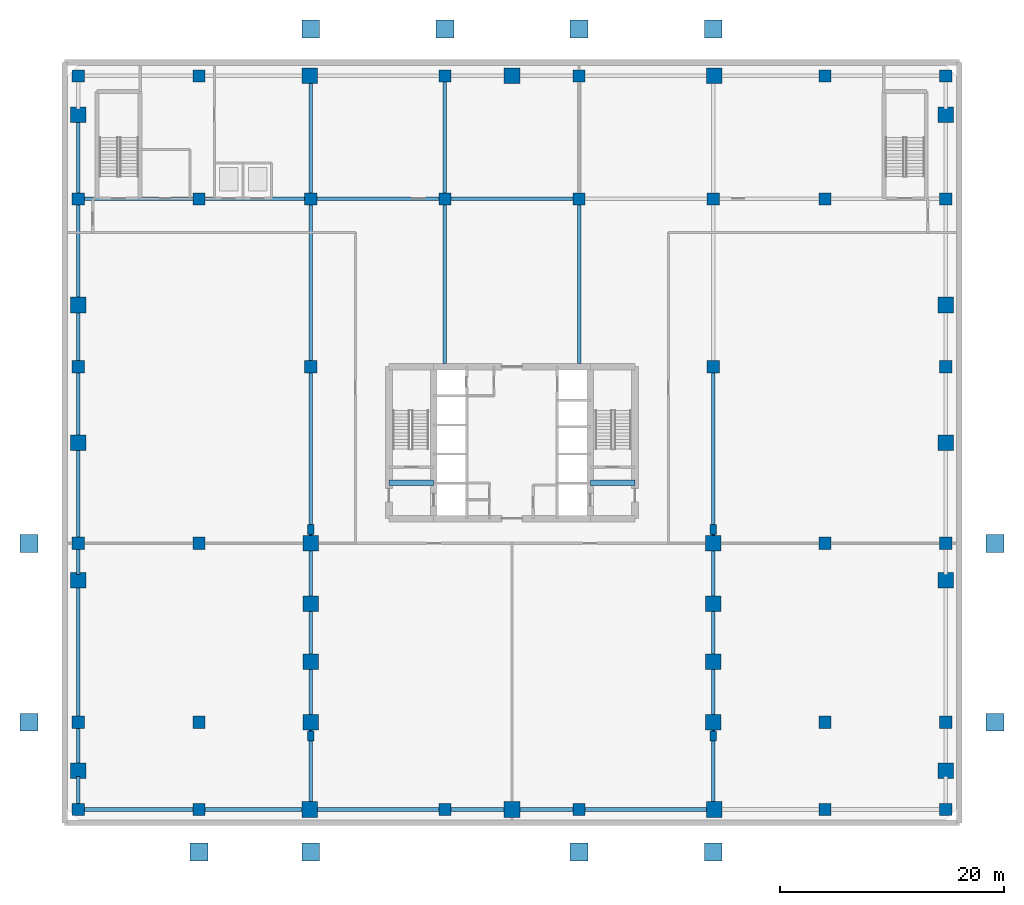
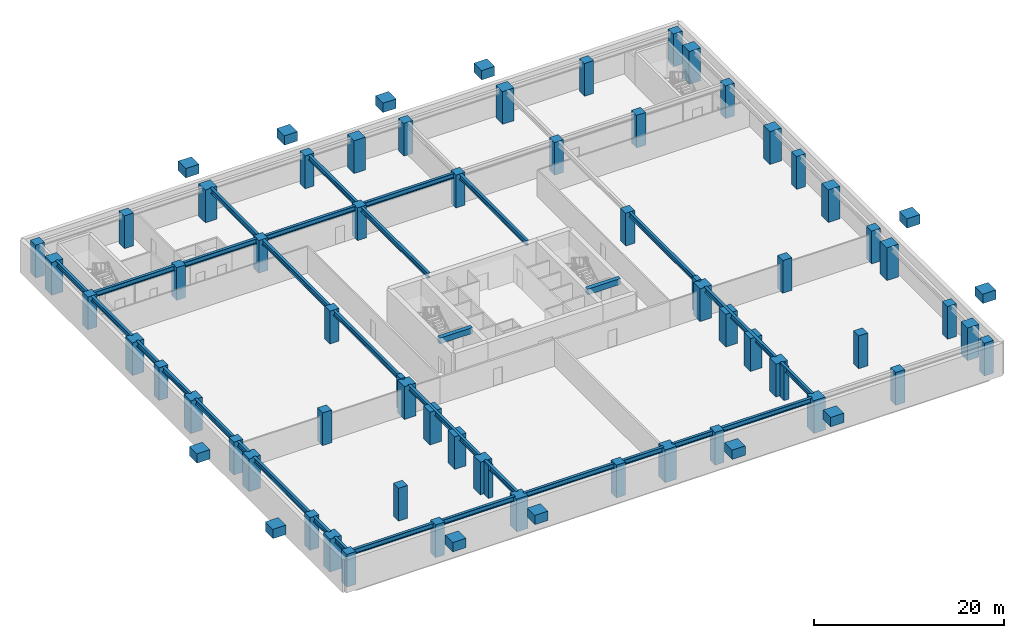
# One storey, part 1 of 11: 60 columns, 32 beams, 12 footings.
"""IFC4 building model written with IfcOpenShell, lengths in metres."""

from ifc_helpers import new_model, si_unit, direction, frame, origin, origin_2d, place, context, subcontext, project, spatial, polyline, rectangle, i_section, outline, extrude, material, layer, layer_set, material_profile, profile_set, type_object, element, save


model = new_model("IFC4")

# Units and contexts
model_context = context("Model", 3, precision=1e-05, world=origin(), true_north=direction((0.0, 1.0)))
body_context = subcontext(model_context, "Body", "Model", "MODEL_VIEW")
ifc_project = project(units=[si_unit("LENGTHUNIT", "METRE"), si_unit("AREAUNIT", "SQUARE_METRE"), si_unit("VOLUMEUNIT", "CUBIC_METRE"), si_unit("PLANEANGLEUNIT", "RADIAN"), si_unit("MASSUNIT", "GRAM", prefix="KILO")], contexts=[model_context])

# Site, building, storey
site_placement = place(None, origin())
site = spatial("IfcSite", under=ifc_project, at=site_placement, CompositionType="ELEMENT")
building_placement = place(site_placement, origin())
building = spatial("IfcBuilding", under=site, at=building_placement, Name="Sarneth Arch Tower", CompositionType="ELEMENT")
storey_placement = place(building_placement, frame((0.0, 0.0, -4.5)))
storey = spatial("IfcBuildingStorey", under=building, at=storey_placement, Name="B01", CompositionType="ELEMENT", Elevation=-4.5)

# Footings
ifc_material_1 = material(Name="Concrete C60/75", Category="concrete")
ifc_layer = layer(ifc_material_1, 0.60009765625)
ifc_layer_set = layer_set([ifc_layer], Name="Concrete C60/75")
footing_type = type_object("IfcFootingType", Name="FTG-RAMP-PAD", PredefinedType="PAD_FOOTING", material=ifc_layer_set)
footing_1_placement = place(storey_placement, frame((0.0, 0.0, 3.300048828125)))
element("IfcFooting", 1, at=footing_1_placement, inside=storey, type_object=footing_type, Name="Canopy post pad footing NORTH.1", PredefinedType="PAD_FOOTING", context=body_context, shape_type="SweptSolid", body=[
    extrude(outline(polyline([(29.199951171875, 78.199951171875), (30.800048828125, 78.199951171875), (30.800048828125, 79.800048828125), (29.199951171875, 79.800048828125), (29.199951171875, 78.199951171875)])), origin(), (0.0, 0.0, 1.0), 1.199951171875),
])
footing_2_placement = place(storey_placement, frame((0.0, 0.0, 3.300048828125)))
element("IfcFooting", 2, at=footing_2_placement, inside=storey, type_object=footing_type, Name="Canopy post pad footing NORTH.2", PredefinedType="PAD_FOOTING", context=body_context, shape_type="SweptSolid", body=[
    extrude(outline(polyline([(41.199951171875, 78.199951171875), (42.800048828125, 78.199951171875), (42.800048828125, 79.800048828125), (41.199951171875, 79.800048828125), (41.199951171875, 78.199951171875)])), origin(), (0.0, 0.0, 1.0), 1.199951171875),
])
footing_3_placement = place(storey_placement, frame((0.0, 0.0, 3.300048828125)))
element("IfcFooting", 3, at=footing_3_placement, inside=storey, type_object=footing_type, Name="Canopy post pad footing NORTH.3", PredefinedType="PAD_FOOTING", context=body_context, shape_type="SweptSolid", body=[
    extrude(outline(polyline([(53.199951171875, 78.199951171875), (54.800048828125, 78.199951171875), (54.800048828125, 79.800048828125), (53.199951171875, 79.800048828125), (53.199951171875, 78.199951171875)])), origin(), (0.0, 0.0, 1.0), 1.199951171875),
])
footing_4_placement = place(storey_placement, frame((0.0, 0.0, 3.300048828125)))
element("IfcFooting", 4, at=footing_4_placement, inside=storey, type_object=footing_type, Name="Canopy post pad footing NORTH.4", PredefinedType="PAD_FOOTING", context=body_context, shape_type="SweptSolid", body=[
    extrude(outline(polyline([(65.199951171875, 78.199951171875), (66.800048828125, 78.199951171875), (66.800048828125, 79.800048828125), (65.199951171875, 79.800048828125), (65.199951171875, 78.199951171875)])), origin(), (0.0, 0.0, 1.0), 1.199951171875),
])
footing_5_placement = place(storey_placement, frame((0.0, 0.0, 3.300048828125)))
element("IfcFooting", 5, at=footing_5_placement, inside=storey, type_object=footing_type, Name="Canopy post pad footing ARCH-W.1", PredefinedType="PAD_FOOTING", context=body_context, shape_type="SweptSolid", body=[
    extrude(outline(polyline([(4.0, 16.199951171875), (5.60009765625, 16.199951171875), (5.60009765625, 17.800048828125), (4.0, 17.800048828125), (4.0, 16.199951171875)])), origin(), (0.0, 0.0, 1.0), 1.199951171875),
])
footing_6_placement = place(storey_placement, frame((0.0, 0.0, 3.300048828125)))
element("IfcFooting", 6, at=footing_6_placement, inside=storey, type_object=footing_type, Name="Canopy post pad footing ARCH-W.2", PredefinedType="PAD_FOOTING", context=body_context, shape_type="SweptSolid", body=[
    extrude(outline(polyline([(4.0, 32.199951171875), (5.60009765625, 32.199951171875), (5.60009765625, 33.800048828125), (4.0, 33.800048828125), (4.0, 32.199951171875)])), origin(), (0.0, 0.0, 1.0), 1.199951171875),
])
footing_7_placement = place(storey_placement, frame((0.0, 0.0, 3.300048828125)))
element("IfcFooting", 7, at=footing_7_placement, inside=storey, type_object=footing_type, Name="Canopy post pad footing ARCH-E.1", PredefinedType="PAD_FOOTING", context=body_context, shape_type="SweptSolid", body=[
    extrude(outline(polyline([(90.39990234375, 16.199951171875), (92.0, 16.199951171875), (92.0, 17.800048828125), (90.39990234375, 17.800048828125), (90.39990234375, 16.199951171875)])), origin(), (0.0, 0.0, 1.0), 1.199951171875),
])
footing_8_placement = place(storey_placement, frame((0.0, 0.0, 3.300048828125)))
element("IfcFooting", 8, at=footing_8_placement, inside=storey, type_object=footing_type, Name="Canopy post pad footing ARCH-E.2", PredefinedType="PAD_FOOTING", context=body_context, shape_type="SweptSolid", body=[
    extrude(outline(polyline([(90.39990234375, 32.199951171875), (92.0, 32.199951171875), (92.0, 33.800048828125), (90.39990234375, 33.800048828125), (90.39990234375, 32.199951171875)])), origin(), (0.0, 0.0, 1.0), 1.199951171875),
])
footing_9_placement = place(storey_placement, frame((0.0, 0.0, 3.300048828125)))
element("IfcFooting", 9, at=footing_9_placement, inside=storey, type_object=footing_type, Name="Canopy post pad footing SOUTH-W.1", PredefinedType="PAD_FOOTING", context=body_context, shape_type="SweptSolid", body=[
    extrude(outline(polyline([(19.199951171875, 4.60009765625), (20.800048828125, 4.60009765625), (20.800048828125, 6.199951171875), (19.199951171875, 6.199951171875), (19.199951171875, 4.60009765625)])), origin(), (0.0, 0.0, 1.0), 1.199951171875),
])
footing_10_placement = place(storey_placement, frame((0.0, 0.0, 3.300048828125)))
element("IfcFooting", 10, at=footing_10_placement, inside=storey, type_object=footing_type, Name="Canopy post pad footing SOUTH-W.2", PredefinedType="PAD_FOOTING", context=body_context, shape_type="SweptSolid", body=[
    extrude(outline(polyline([(29.199951171875, 4.60009765625), (30.800048828125, 4.60009765625), (30.800048828125, 6.199951171875), (29.199951171875, 6.199951171875), (29.199951171875, 4.60009765625)])), origin(), (0.0, 0.0, 1.0), 1.199951171875),
])
footing_11_placement = place(storey_placement, frame((0.0, 0.0, 3.300048828125)))
element("IfcFooting", 11, at=footing_11_placement, inside=storey, type_object=footing_type, Name="Canopy post pad footing SOUTH-E.1", PredefinedType="PAD_FOOTING", context=body_context, shape_type="SweptSolid", body=[
    extrude(outline(polyline([(53.199951171875, 4.60009765625), (54.800048828125, 4.60009765625), (54.800048828125, 6.199951171875), (53.199951171875, 6.199951171875), (53.199951171875, 4.60009765625)])), origin(), (0.0, 0.0, 1.0), 1.199951171875),
])
footing_12_placement = place(storey_placement, frame((0.0, 0.0, 3.300048828125)))
element("IfcFooting", 12, at=footing_12_placement, inside=storey, type_object=footing_type, Name="Canopy post pad footing SOUTH-E.2", PredefinedType="PAD_FOOTING", context=body_context, shape_type="SweptSolid", body=[
    extrude(outline(polyline([(65.199951171875, 4.60009765625), (66.800048828125, 4.60009765625), (66.800048828125, 6.199951171875), (65.199951171875, 6.199951171875), (65.199951171875, 4.60009765625)])), origin(), (0.0, 0.0, 1.0), 1.199951171875),
])

# Columns
ifc_material_2 = material(Name="Concrete C60/75", Category="concrete")
ifc_material_profile_1 = material_profile(ifc_material_2, rectangle(XDim=1.10009765625, YDim=1.10009765625, at=origin_2d()), Name="RC-1100x1100")
ifc_profile_set_1 = profile_set([ifc_material_profile_1], Name="Concrete C60/75")
column_type_1 = type_object("IfcColumnType", Name="COL-RC-1100", PredefinedType="COLUMN", material=ifc_profile_set_1)
for number, where, z_axis, x_axis, name in (
    (13, (9.199951171875, 74.800048828125, 0.0), (0.0, 0.0, 1.0), (1.0, 0.0, 0.0), "B01 Podium column PN01"),
    (14, (9.199951171875, 9.199951171875, 0.0), (0.0, 0.0, 1.0), (1.0, 0.0, 0.0), "B01 Podium column PS01"),
    (15, (9.199951171875, 63.800048828125, 0.0), (0.0, 0.0, 1.0), (1.0, 0.0, 0.0), "B01 Podium column PC01"),
    (16, (20.0, 74.800048828125, 0.0), (0.0, 0.0, 1.0), (1.0, 0.0, 0.0), "B01 Podium column PN02"),
    (17, (20.0, 9.199951171875, 0.0), (0.0, 0.0, 1.0), (1.0, 0.0, 0.0), "B01 Podium column PS02"),
    (18, (20.0, 63.800048828125, 0.0), (0.0, 0.0, 1.0), (1.0, 0.0, 0.0), "B01 Podium column PC02"),
    (19, (30.0, 63.800048828125, 0.0), (0.0, 0.0, 1.0), (1.0, 0.0, 0.0), "B01 Podium column PC03"),
    (20, (42.0, 74.800048828125, 0.0), (0.0, 0.0, 1.0), (1.0, 0.0, 0.0), "B01 Podium column PN04"),
    (21, (42.0, 9.199951171875, 0.0), (0.0, 0.0, 1.0), (1.0, 0.0, 0.0), "B01 Podium column PS04"),
    (22, (42.0, 63.800048828125, 0.0), (0.0, 0.0, 1.0), (1.0, 0.0, 0.0), "B01 Podium column PC04"),
    (23, (54.0, 74.800048828125, 0.0), (0.0, 0.0, 1.0), (1.0, 0.0, 0.0), "B01 Podium column PN05"),
    (24, (54.0, 9.199951171875, 0.0), (0.0, 0.0, 1.0), (1.0, 0.0, 0.0), "B01 Podium column PS05"),
    (25, (54.0, 63.800048828125, 0.0), (0.0, 0.0, 1.0), (1.0, 0.0, 0.0), "B01 Podium column PC05"),
    (26, (66.0, 63.800048828125, 0.0), (0.0, 0.0, 1.0), (1.0, 0.0, 0.0), "B01 Podium column PC06"),
    (27, (76.0, 74.800048828125, 0.0), (0.0, 0.0, 1.0), (1.0, 0.0, 0.0), "B01 Podium column PN07"),
    (28, (76.0, 9.199951171875, 0.0), (0.0, 0.0, 1.0), (1.0, 0.0, 0.0), "B01 Podium column PS07"),
    (29, (76.0, 63.800048828125, 0.0), (0.0, 0.0, 1.0), (1.0, 0.0, 0.0), "B01 Podium column PC07"),
    (30, (86.800048828125, 74.800048828125, 0.0), (0.0, 0.0, 1.0), (1.0, 0.0, 0.0), "B01 Podium column PN08"),
    (31, (86.800048828125, 9.199951171875, 0.0), (0.0, 0.0, 1.0), (1.0, 0.0, 0.0), "B01 Podium column PS08"),
    (32, (86.800048828125, 63.800048828125, 0.0), (0.0, 0.0, 1.0), (1.0, 0.0, 0.0), "B01 Podium column PC08"),
    (33, (9.199951171875, 17.0, 0.0), (0.0, 0.0, 1.0), (1.0, 0.0, 0.0), "B01 Podium column PW01"),
    (34, (86.800048828125, 17.0, 0.0), (0.0, 0.0, 1.0), (1.0, 0.0, 0.0), "B01 Podium column PE01"),
    (35, (9.199951171875, 33.0, 0.0), (0.0, 0.0, 1.0), (1.0, 0.0, 0.0), "B01 Podium column PW02"),
    (36, (86.800048828125, 33.0, 0.0), (0.0, 0.0, 1.0), (1.0, 0.0, 0.0), "B01 Podium column PE02"),
    (37, (9.199951171875, 48.800048828125, 0.0), (0.0, 0.0, 1.0), (1.0, 0.0, 0.0), "B01 Podium column PW03"),
    (38, (86.800048828125, 48.800048828125, 0.0), (0.0, 0.0, 1.0), (1.0, 0.0, 0.0), "B01 Podium column PE03"),
    (39, (20.0, 17.0, 0.0), (0.0, 0.0, 1.0), (1.0, 0.0, 0.0), "B01 Podium column AS-W1"),
    (40, (76.0, 17.0, 0.0), (0.0, 0.0, 1.0), (1.0, 0.0, 0.0), "B01 Podium column AS-E1"),
    (41, (20.0, 33.0, 0.0), (0.0, 0.0, 1.0), (1.0, 0.0, 0.0), "B01 Podium column AN-W1"),
    (42, (76.0, 33.0, 0.0), (0.0, 0.0, 1.0), (1.0, 0.0, 0.0), "B01 Podium column AN-E1"),
    (43, (30.0, 48.800048828125, 0.0), (0.0, 0.0, 1.0), (1.0, 0.0, 0.0), "B01 Podium column WC-W1"),
    (44, (66.0, 48.800048828125, 0.0), (0.0, 0.0, 1.0), (1.0, 0.0, 0.0), "B01 Podium column WC-E1"),
):
    element("IfcColumn", number, at=place(storey_placement, frame(where, z_axis=z_axis, x_axis=x_axis)), inside=storey, type_object=column_type_1, Name=name, PredefinedType="COLUMN", context=body_context, shape_type="SweptSolid", body=[
        extrude(rectangle(XDim=1.10009765625, YDim=1.10009765625, at=origin_2d()), origin(), (0.0, 0.0, 1.0), 4.219970703125),
    ])
ifc_material_3 = material(Name="Concrete C60/75", Category="concrete")
ifc_material_profile_2 = material_profile(ifc_material_3, rectangle(XDim=1.39990234375, YDim=1.39990234375, at=origin_2d()), Name="RC-1400x1400")
ifc_profile_set_2 = profile_set([ifc_material_profile_2], Name="Concrete C60/75")
column_type_2 = type_object("IfcColumnType", Name="COL-RC-1400", PredefinedType="COLUMN", material=ifc_profile_set_2)
for number, where, z_axis, x_axis, name in (
    (45, (30.0, 17.0, 0.0), (0.0, 0.0, 1.0), (1.0, 0.0, 0.0), "B01 Podium column AP-SW"),
    (46, (66.0, 17.0, 0.0), (0.0, 0.0, 1.0), (1.0, 0.0, 0.0), "B01 Podium column AP-SE"),
    (47, (30.0, 33.0, 0.0), (0.0, 0.0, 1.0), (1.0, 0.0, 0.0), "B01 Podium column AP-NW"),
    (48, (66.0, 33.0, 0.0), (0.0, 0.0, 1.0), (1.0, 0.0, 0.0), "B01 Podium column AP-NE"),
    (49, (86.800048828125, 42.0, 0.0), (0.0, 0.0, 1.0), (1.0, 0.0, 0.0), "B01 Podium column PX01"),
    (50, (86.800048828125, 54.31787109375, 0.0), (0.0, 0.0, 1.0), (1.0, 0.0, 0.0), "B01 Podium column PX02"),
    (51, (86.800048828125, 71.336669921875, 0.0), (0.0, 0.0, 1.0), (1.0, 0.0, 0.0), "B01 Podium column PX03"),
    (52, (66.08447265625, 74.800048828125, 0.0), (0.0, 0.0, 1.0), (1.0, 0.0, 0.0), "B01 Podium column PX04"),
    (53, (48.0, 74.800048828125, 0.0), (0.0, 0.0, 1.0), (1.0, 0.0, 0.0), "B01 Podium column PX05"),
    (54, (29.91552734375, 74.800048828125, 0.0), (0.0, 0.0, 1.0), (1.0, 0.0, 0.0), "B01 Podium column PX06"),
    (55, (9.199951171875, 71.336669921875, 0.0), (0.0, 0.0, 1.0), (1.0, 0.0, 0.0), "B01 Podium column PX07"),
    (56, (9.199951171875, 54.31787109375, 0.0), (0.0, 0.0, 1.0), (1.0, 0.0, 0.0), "B01 Podium column PX08"),
    (57, (9.199951171875, 42.0, 0.0), (0.0, 0.0, 1.0), (1.0, 0.0, 0.0), "B01 Podium column PX09"),
    (58, (9.199951171875, 29.68212890625, 0.0), (0.0, 0.0, 1.0), (1.0, 0.0, 0.0), "B01 Podium column PX10"),
    (59, (9.199951171875, 12.663330078125, 0.0), (0.0, 0.0, 1.0), (1.0, 0.0, 0.0), "B01 Podium column PX11"),
    (60, (29.91552734375, 9.199951171875, 0.0), (0.0, 0.0, 1.0), (1.0, 0.0, 0.0), "B01 Podium column PX12"),
    (61, (48.0, 9.199951171875, 0.0), (0.0, 0.0, 1.0), (1.0, 0.0, 0.0), "B01 Podium column PX13"),
    (62, (66.08447265625, 9.199951171875, 0.0), (0.0, 0.0, 1.0), (1.0, 0.0, 0.0), "B01 Podium column PX14"),
    (63, (86.800048828125, 12.663330078125, 0.0), (0.0, 0.0, 1.0), (1.0, 0.0, 0.0), "B01 Podium column PX15"),
    (64, (86.800048828125, 29.68212890625, 0.0), (0.0, 0.0, 1.0), (1.0, 0.0, 0.0), "B01 Podium column PX16"),
    (65, (30.0, 22.39990234375, 0.0), (0.0, 0.0, 1.0), (1.0, 0.0, 0.0), "B01 Arch springing pier R2W"),
    (66, (66.0, 22.39990234375, 0.0), (0.0, 0.0, 1.0), (1.0, 0.0, 0.0), "B01 Arch springing pier R2E"),
    (67, (30.0, 27.60009765625, 0.0), (0.0, 0.0, 1.0), (1.0, 0.0, 0.0), "B01 Arch springing pier R3W"),
    (68, (66.0, 27.60009765625, 0.0), (0.0, 0.0, 1.0), (1.0, 0.0, 0.0), "B01 Arch springing pier R3E"),
):
    element("IfcColumn", number, at=place(storey_placement, frame(where, z_axis=z_axis, x_axis=x_axis)), inside=storey, type_object=column_type_2, Name=name, PredefinedType="COLUMN", context=body_context, shape_type="SweptSolid", body=[
        extrude(rectangle(XDim=1.39990234375, YDim=1.39990234375, at=origin_2d()), origin(), (0.0, 0.0, 1.0), 4.219970703125),
    ])
ifc_material_4 = material(Name="Concrete C60/75", Category="concrete")
ifc_material_profile_3 = material_profile(ifc_material_4, rectangle(XDim=0.60009765625, YDim=0.89990234375, at=origin_2d()), Name="RC-600x900")
ifc_profile_set_3 = profile_set([ifc_material_profile_3], Name="Concrete C60/75")
column_type_3 = type_object("IfcColumnType", Name="PIL-RC-600x900", PredefinedType="PILASTER", material=ifc_profile_set_3)
for number, where, z_axis, x_axis, name in (
    (69, (30.0, 15.75, 0.0), (0.0, 0.0, 1.0), (1.0, 0.0, 0.0), "B01 Arch pilaster PIL-SW"),
    (70, (30.0, 34.25, 0.0), (0.0, 0.0, 1.0), (1.0, 0.0, 0.0), "B01 Arch pilaster PIL-NW"),
    (71, (66.0, 15.75, 0.0), (0.0, 0.0, 1.0), (1.0, 0.0, 0.0), "B01 Arch pilaster PIL-SE"),
    (72, (66.0, 34.25, 0.0), (0.0, 0.0, 1.0), (1.0, 0.0, 0.0), "B01 Arch pilaster PIL-NE"),
):
    element("IfcColumn", number, at=place(storey_placement, frame(where, z_axis=z_axis, x_axis=x_axis)), inside=storey, type_object=column_type_3, Name=name, PredefinedType="PILASTER", context=body_context, shape_type="SweptSolid", body=[
        extrude(rectangle(XDim=0.60009765625, YDim=0.89990234375, at=origin_2d()), origin(), (0.0, 0.0, 1.0), 4.219970703125),
    ])

# Beams
ifc_material_5 = material(Name="Concrete C50/60", Category="concrete")
ifc_material_profile_4 = material_profile(ifc_material_5, rectangle(XDim=0.5, YDim=0.75, at=origin_2d()), Name="RC-500x750")
ifc_profile_set_4 = profile_set([ifc_material_profile_4], Name="Concrete C50/60")
beam_type_1 = type_object("IfcBeamType", Name="BM-LINTEL-RC", PredefinedType="LINTEL", material=ifc_profile_set_4)
for number, where, z_axis, x_axis, name in (
    (73, (37.0, 38.39990234375, 3.844970703125), (1.0, 0.0, 0.0), (0.0, 1.0, 0.0), "B01 Core coupling lintel W"),
    (74, (55.0, 38.39990234375, 3.844970703125), (1.0, 0.0, 0.0), (0.0, 1.0, 0.0), "B01 Core coupling lintel E"),
):
    element("IfcBeam", number, at=place(storey_placement, frame(where, z_axis=z_axis, x_axis=x_axis)), inside=storey, type_object=beam_type_1, Name=name, PredefinedType="LINTEL", context=body_context, shape_type="SweptSolid", body=[
        extrude(rectangle(XDim=0.5, YDim=0.75, at=origin_2d()), origin(), (0.0, 0.0, 1.0), 4.0),
    ])
ifc_material_6 = material(Name="Steel S355", Category="steel")
ifc_material_profile_5 = material_profile(ifc_material_6, i_section(OverallWidth=0.3291015625, OverallDepth=0.635009765625, WebThickness=0.017822265625, FlangeThickness=0.031005859375, FilletRadius=0.01904296875, at=origin_2d()), Name="W610x241")
ifc_profile_set_5 = profile_set([ifc_material_profile_5], Name="Steel S355")
beam_type_2 = type_object("IfcBeamType", Name="BM-POD-610", PredefinedType="BEAM", material=ifc_profile_set_5)
beam_1_placement = place(storey_placement, frame((9.719970703125, 9.199951171875, 3.902587890625), z_axis=(1.0, 0.0, 0.0), x_axis=(0.0, 1.0, 0.0)))
element("IfcBeam", 75, at=beam_1_placement, inside=storey, type_object=beam_type_2, Name="B01 Podium PS girder 1", PredefinedType="BEAM", context=body_context, shape_type="SweptSolid", body=[
    extrude(i_section(OverallWidth=0.3291015625, OverallDepth=0.635009765625, WebThickness=0.017822265625, FlangeThickness=0.031005859375, FilletRadius=0.01904296875, at=origin_2d()), origin(), (0.0, 0.0, 1.0), 9.760009765625),
])
beam_2_placement = place(storey_placement, frame((20.52001953125, 9.199951171875, 3.902587890625), z_axis=(1.0, 0.0, 0.0), x_axis=(0.0, 1.0, 0.0)))
element("IfcBeam", 76, at=beam_2_placement, inside=storey, type_object=beam_type_2, Name="B01 Podium PS girder 2", PredefinedType="BEAM", context=body_context, shape_type="SweptSolid", body=[
    extrude(i_section(OverallWidth=0.3291015625, OverallDepth=0.635009765625, WebThickness=0.017822265625, FlangeThickness=0.031005859375, FilletRadius=0.01904296875, at=origin_2d()), origin(), (0.0, 0.0, 1.0), 8.87548828125),
])
beam_3_placement = place(storey_placement, frame((30.435546875, 9.199951171875, 3.902587890625), z_axis=(1.0, 0.0, 0.0), x_axis=(0.0, 1.0, 0.0)))
element("IfcBeam", 77, at=beam_3_placement, inside=storey, type_object=beam_type_2, Name="B01 Podium PS girder 3", PredefinedType="BEAM", context=body_context, shape_type="SweptSolid", body=[
    extrude(i_section(OverallWidth=0.3291015625, OverallDepth=0.635009765625, WebThickness=0.017822265625, FlangeThickness=0.031005859375, FilletRadius=0.01904296875, at=origin_2d()), origin(), (0.0, 0.0, 1.0), 11.04443359375),
])
for number, where, z_axis, x_axis, name in (
    (78, (42.52001953125, 9.199951171875, 3.902587890625), (1.0, 0.0, 0.0), (0.0, 1.0, 0.0), "B01 Podium PS girder 4"),
    (79, (48.52001953125, 9.199951171875, 3.902587890625), (1.0, 0.0, 0.0), (0.0, 1.0, 0.0), "B01 Podium PS girder 5"),
):
    element("IfcBeam", number, at=place(storey_placement, frame(where, z_axis=z_axis, x_axis=x_axis)), inside=storey, type_object=beam_type_2, Name=name, PredefinedType="BEAM", context=body_context, shape_type="SweptSolid", body=[
        extrude(i_section(OverallWidth=0.3291015625, OverallDepth=0.635009765625, WebThickness=0.017822265625, FlangeThickness=0.031005859375, FilletRadius=0.01904296875, at=origin_2d()), origin(), (0.0, 0.0, 1.0), 4.9599609375),
    ])
beam_4_placement = place(storey_placement, frame((54.52001953125, 9.199951171875, 3.902587890625), z_axis=(1.0, 0.0, 0.0), x_axis=(0.0, 1.0, 0.0)))
element("IfcBeam", 80, at=beam_4_placement, inside=storey, type_object=beam_type_2, Name="B01 Podium PS girder 6", PredefinedType="BEAM", context=body_context, shape_type="SweptSolid", body=[
    extrude(i_section(OverallWidth=0.3291015625, OverallDepth=0.635009765625, WebThickness=0.017822265625, FlangeThickness=0.031005859375, FilletRadius=0.01904296875, at=origin_2d()), origin(), (0.0, 0.0, 1.0), 11.04443359375),
])
beam_5_placement = place(storey_placement, frame((9.719970703125, 63.800048828125, 3.902587890625), z_axis=(1.0, 0.0, 0.0), x_axis=(0.0, 1.0, 0.0)))
element("IfcBeam", 81, at=beam_5_placement, inside=storey, type_object=beam_type_2, Name="B01 Podium PC girder 1", PredefinedType="BEAM", context=body_context, shape_type="SweptSolid", body=[
    extrude(i_section(OverallWidth=0.3291015625, OverallDepth=0.635009765625, WebThickness=0.017822265625, FlangeThickness=0.031005859375, FilletRadius=0.01904296875, at=origin_2d()), origin(), (0.0, 0.0, 1.0), 9.760009765625),
])
beam_6_placement = place(storey_placement, frame((20.52001953125, 63.800048828125, 3.902587890625), z_axis=(1.0, 0.0, 0.0), x_axis=(0.0, 1.0, 0.0)))
element("IfcBeam", 82, at=beam_6_placement, inside=storey, type_object=beam_type_2, Name="B01 Podium PC girder 2", PredefinedType="BEAM", context=body_context, shape_type="SweptSolid", body=[
    extrude(i_section(OverallWidth=0.3291015625, OverallDepth=0.635009765625, WebThickness=0.017822265625, FlangeThickness=0.031005859375, FilletRadius=0.01904296875, at=origin_2d()), origin(), (0.0, 0.0, 1.0), 8.9599609375),
])
for number, where, z_axis, x_axis, name in (
    (83, (30.52001953125, 63.800048828125, 3.902587890625), (1.0, 0.0, 0.0), (0.0, 1.0, 0.0), "B01 Podium PC girder 3"),
    (84, (42.52001953125, 63.800048828125, 3.902587890625), (1.0, 0.0, 0.0), (0.0, 1.0, 0.0), "B01 Podium PC girder 4"),
):
    element("IfcBeam", number, at=place(storey_placement, frame(where, z_axis=z_axis, x_axis=x_axis)), inside=storey, type_object=beam_type_2, Name=name, PredefinedType="BEAM", context=body_context, shape_type="SweptSolid", body=[
        extrude(i_section(OverallWidth=0.3291015625, OverallDepth=0.635009765625, WebThickness=0.017822265625, FlangeThickness=0.031005859375, FilletRadius=0.01904296875, at=origin_2d()), origin(), (0.0, 0.0, 1.0), 10.9599609375),
    ])
beam_7_placement = place(storey_placement, frame((9.199951171875, 9.719970703125, 3.902587890625), z_axis=(0.0, 1.0, 0.0), x_axis=(-1.0, 0.0, 0.0)))
element("IfcBeam", 85, at=beam_7_placement, inside=storey, type_object=beam_type_2, Name="B01 Podium PW girder 1", PredefinedType="BEAM", context=body_context, shape_type="SweptSolid", body=[
    extrude(i_section(OverallWidth=0.3291015625, OverallDepth=0.635009765625, WebThickness=0.017822265625, FlangeThickness=0.031005859375, FilletRadius=0.01904296875, at=origin_2d()), origin(), (0.0, 0.0, 1.0), 2.42333984375),
])
beam_8_placement = place(storey_placement, frame((9.199951171875, 13.183349609375, 3.902587890625), z_axis=(0.0, 1.0, 0.0), x_axis=(-1.0, 0.0, 0.0)))
element("IfcBeam", 86, at=beam_8_placement, inside=storey, type_object=beam_type_2, Name="B01 Podium PW girder 2", PredefinedType="BEAM", context=body_context, shape_type="SweptSolid", body=[
    extrude(i_section(OverallWidth=0.3291015625, OverallDepth=0.635009765625, WebThickness=0.017822265625, FlangeThickness=0.031005859375, FilletRadius=0.01904296875, at=origin_2d()), origin(), (0.0, 0.0, 1.0), 3.296630859375),
])
beam_9_placement = place(storey_placement, frame((9.199951171875, 17.52001953125, 3.902587890625), z_axis=(0.0, 1.0, 0.0), x_axis=(-1.0, 0.0, 0.0)))
element("IfcBeam", 87, at=beam_9_placement, inside=storey, type_object=beam_type_2, Name="B01 Podium PW girder 3", PredefinedType="BEAM", context=body_context, shape_type="SweptSolid", body=[
    extrude(i_section(OverallWidth=0.3291015625, OverallDepth=0.635009765625, WebThickness=0.017822265625, FlangeThickness=0.031005859375, FilletRadius=0.01904296875, at=origin_2d()), origin(), (0.0, 0.0, 1.0), 11.64208984375),
])
beam_10_placement = place(storey_placement, frame((9.199951171875, 30.2021484375, 3.902587890625), z_axis=(0.0, 1.0, 0.0), x_axis=(-1.0, 0.0, 0.0)))
element("IfcBeam", 88, at=beam_10_placement, inside=storey, type_object=beam_type_2, Name="B01 Podium PW girder 4", PredefinedType="BEAM", context=body_context, shape_type="SweptSolid", body=[
    extrude(i_section(OverallWidth=0.3291015625, OverallDepth=0.635009765625, WebThickness=0.017822265625, FlangeThickness=0.031005859375, FilletRadius=0.01904296875, at=origin_2d()), origin(), (0.0, 0.0, 1.0), 2.27783203125),
])
beam_11_placement = place(storey_placement, frame((9.199951171875, 33.52001953125, 3.902587890625), z_axis=(0.0, 1.0, 0.0), x_axis=(-1.0, 0.0, 0.0)))
element("IfcBeam", 89, at=beam_11_placement, inside=storey, type_object=beam_type_2, Name="B01 Podium PW girder 5", PredefinedType="BEAM", context=body_context, shape_type="SweptSolid", body=[
    extrude(i_section(OverallWidth=0.3291015625, OverallDepth=0.635009765625, WebThickness=0.017822265625, FlangeThickness=0.031005859375, FilletRadius=0.01904296875, at=origin_2d()), origin(), (0.0, 0.0, 1.0), 7.9599609375),
])
beam_12_placement = place(storey_placement, frame((9.199951171875, 42.52001953125, 3.902587890625), z_axis=(0.0, 1.0, 0.0), x_axis=(-1.0, 0.0, 0.0)))
element("IfcBeam", 90, at=beam_12_placement, inside=storey, type_object=beam_type_2, Name="B01 Podium PW girder 6", PredefinedType="BEAM", context=body_context, shape_type="SweptSolid", body=[
    extrude(i_section(OverallWidth=0.3291015625, OverallDepth=0.635009765625, WebThickness=0.017822265625, FlangeThickness=0.031005859375, FilletRadius=0.01904296875, at=origin_2d()), origin(), (0.0, 0.0, 1.0), 5.760009765625),
])
beam_13_placement = place(storey_placement, frame((9.199951171875, 49.320068359375, 3.902587890625), z_axis=(0.0, 1.0, 0.0), x_axis=(-1.0, 0.0, 0.0)))
element("IfcBeam", 91, at=beam_13_placement, inside=storey, type_object=beam_type_2, Name="B01 Podium PW girder 7", PredefinedType="BEAM", context=body_context, shape_type="SweptSolid", body=[
    extrude(i_section(OverallWidth=0.3291015625, OverallDepth=0.635009765625, WebThickness=0.017822265625, FlangeThickness=0.031005859375, FilletRadius=0.01904296875, at=origin_2d()), origin(), (0.0, 0.0, 1.0), 4.477783203125),
])
beam_14_placement = place(storey_placement, frame((9.199951171875, 54.837890625, 3.902587890625), z_axis=(0.0, 1.0, 0.0), x_axis=(-1.0, 0.0, 0.0)))
element("IfcBeam", 92, at=beam_14_placement, inside=storey, type_object=beam_type_2, Name="B01 Podium PW girder 8", PredefinedType="BEAM", context=body_context, shape_type="SweptSolid", body=[
    extrude(i_section(OverallWidth=0.3291015625, OverallDepth=0.635009765625, WebThickness=0.017822265625, FlangeThickness=0.031005859375, FilletRadius=0.01904296875, at=origin_2d()), origin(), (0.0, 0.0, 1.0), 8.442138671875),
])
beam_15_placement = place(storey_placement, frame((9.199951171875, 64.320068359375, 3.902587890625), z_axis=(0.0, 1.0, 0.0), x_axis=(-1.0, 0.0, 0.0)))
element("IfcBeam", 93, at=beam_15_placement, inside=storey, type_object=beam_type_2, Name="B01 Podium PW girder 9", PredefinedType="BEAM", context=body_context, shape_type="SweptSolid", body=[
    extrude(i_section(OverallWidth=0.3291015625, OverallDepth=0.635009765625, WebThickness=0.017822265625, FlangeThickness=0.031005859375, FilletRadius=0.01904296875, at=origin_2d()), origin(), (0.0, 0.0, 1.0), 6.49658203125),
])
beam_16_placement = place(storey_placement, frame((30.0, 9.75, 3.902587890625), z_axis=(0.0, 1.0, 0.0), x_axis=(-1.0, 0.0, 0.0)))
element("IfcBeam", 94, at=beam_16_placement, inside=storey, type_object=beam_type_2, Name="B01 Podium N-S girder W30.1", PredefinedType="BEAM", context=body_context, shape_type="SweptSolid", body=[
    extrude(i_section(OverallWidth=0.3291015625, OverallDepth=0.635009765625, WebThickness=0.017822265625, FlangeThickness=0.031005859375, FilletRadius=0.01904296875, at=origin_2d()), origin(), (0.0, 0.0, 1.0), 6.699951171875),
])
beam_17_placement = place(storey_placement, frame((30.0, 17.550048828125, 3.902587890625), z_axis=(0.0, 1.0, 0.0), x_axis=(-1.0, 0.0, 0.0)))
element("IfcBeam", 95, at=beam_17_placement, inside=storey, type_object=beam_type_2, Name="B01 Podium N-S girder W30.2", PredefinedType="BEAM", context=body_context, shape_type="SweptSolid", body=[
    extrude(i_section(OverallWidth=0.3291015625, OverallDepth=0.635009765625, WebThickness=0.017822265625, FlangeThickness=0.031005859375, FilletRadius=0.01904296875, at=origin_2d()), origin(), (0.0, 0.0, 1.0), 14.89990234375),
])
beam_18_placement = place(storey_placement, frame((30.0, 33.550048828125, 3.902587890625), z_axis=(0.0, 1.0, 0.0), x_axis=(-1.0, 0.0, 0.0)))
element("IfcBeam", 96, at=beam_18_placement, inside=storey, type_object=beam_type_2, Name="B01 Podium N-S girder W30.3", PredefinedType="BEAM", context=body_context, shape_type="SweptSolid", body=[
    extrude(i_section(OverallWidth=0.3291015625, OverallDepth=0.635009765625, WebThickness=0.017822265625, FlangeThickness=0.031005859375, FilletRadius=0.01904296875, at=origin_2d()), origin(), (0.0, 0.0, 1.0), 14.699951171875),
])
beam_19_placement = place(storey_placement, frame((30.0, 49.35009765625, 3.902587890625), z_axis=(0.0, 1.0, 0.0), x_axis=(-1.0, 0.0, 0.0)))
element("IfcBeam", 97, at=beam_19_placement, inside=storey, type_object=beam_type_2, Name="B01 Podium N-S girder W30.4", PredefinedType="BEAM", context=body_context, shape_type="SweptSolid", body=[
    extrude(i_section(OverallWidth=0.3291015625, OverallDepth=0.635009765625, WebThickness=0.017822265625, FlangeThickness=0.031005859375, FilletRadius=0.01904296875, at=origin_2d()), origin(), (0.0, 0.0, 1.0), 13.89990234375),
])
beam_20_placement = place(storey_placement, frame((30.0, 64.35009765625, 3.902587890625), z_axis=(0.0, 1.0, 0.0), x_axis=(-1.0, 0.0, 0.0)))
element("IfcBeam", 98, at=beam_20_placement, inside=storey, type_object=beam_type_2, Name="B01 Podium N-S girder W30.5", PredefinedType="BEAM", context=body_context, shape_type="SweptSolid", body=[
    extrude(i_section(OverallWidth=0.3291015625, OverallDepth=0.635009765625, WebThickness=0.017822265625, FlangeThickness=0.031005859375, FilletRadius=0.01904296875, at=origin_2d()), origin(), (0.0, 0.0, 1.0), 9.89990234375),
])
beam_21_placement = place(storey_placement, frame((66.0, 9.75, 3.902587890625), z_axis=(0.0, 1.0, 0.0), x_axis=(-1.0, 0.0, 0.0)))
element("IfcBeam", 99, at=beam_21_placement, inside=storey, type_object=beam_type_2, Name="B01 Podium N-S girder E66.1", PredefinedType="BEAM", context=body_context, shape_type="SweptSolid", body=[
    extrude(i_section(OverallWidth=0.3291015625, OverallDepth=0.635009765625, WebThickness=0.017822265625, FlangeThickness=0.031005859375, FilletRadius=0.01904296875, at=origin_2d()), origin(), (0.0, 0.0, 1.0), 6.699951171875),
])
beam_22_placement = place(storey_placement, frame((66.0, 17.550048828125, 3.902587890625), z_axis=(0.0, 1.0, 0.0), x_axis=(-1.0, 0.0, 0.0)))
element("IfcBeam", 100, at=beam_22_placement, inside=storey, type_object=beam_type_2, Name="B01 Podium N-S girder E66.2", PredefinedType="BEAM", context=body_context, shape_type="SweptSolid", body=[
    extrude(i_section(OverallWidth=0.3291015625, OverallDepth=0.635009765625, WebThickness=0.017822265625, FlangeThickness=0.031005859375, FilletRadius=0.01904296875, at=origin_2d()), origin(), (0.0, 0.0, 1.0), 14.89990234375),
])
beam_23_placement = place(storey_placement, frame((66.0, 33.550048828125, 3.902587890625), z_axis=(0.0, 1.0, 0.0), x_axis=(-1.0, 0.0, 0.0)))
element("IfcBeam", 101, at=beam_23_placement, inside=storey, type_object=beam_type_2, Name="B01 Podium N-S girder E66.3", PredefinedType="BEAM", context=body_context, shape_type="SweptSolid", body=[
    extrude(i_section(OverallWidth=0.3291015625, OverallDepth=0.635009765625, WebThickness=0.017822265625, FlangeThickness=0.031005859375, FilletRadius=0.01904296875, at=origin_2d()), origin(), (0.0, 0.0, 1.0), 14.699951171875),
])
beam_24_placement = place(storey_placement, frame((42.0, 49.10009765625, 3.902587890625), z_axis=(0.0, 1.0, 0.0), x_axis=(-1.0, 0.0, 0.0)))
element("IfcBeam", 102, at=beam_24_placement, inside=storey, type_object=beam_type_2, Name="B01 Core-north girder C42.1", PredefinedType="BEAM", context=body_context, shape_type="SweptSolid", body=[
    extrude(i_section(OverallWidth=0.3291015625, OverallDepth=0.635009765625, WebThickness=0.017822265625, FlangeThickness=0.031005859375, FilletRadius=0.01904296875, at=origin_2d()), origin(), (0.0, 0.0, 1.0), 14.14990234375),
])
beam_25_placement = place(storey_placement, frame((42.0, 64.35009765625, 3.902587890625), z_axis=(0.0, 1.0, 0.0), x_axis=(-1.0, 0.0, 0.0)))
element("IfcBeam", 103, at=beam_25_placement, inside=storey, type_object=beam_type_2, Name="B01 North bay girder C42.2", PredefinedType="BEAM", context=body_context, shape_type="SweptSolid", body=[
    extrude(i_section(OverallWidth=0.3291015625, OverallDepth=0.635009765625, WebThickness=0.017822265625, FlangeThickness=0.031005859375, FilletRadius=0.01904296875, at=origin_2d()), origin(), (0.0, 0.0, 1.0), 9.89990234375),
])
beam_26_placement = place(storey_placement, frame((54.0, 49.10009765625, 3.902587890625), z_axis=(0.0, 1.0, 0.0), x_axis=(-1.0, 0.0, 0.0)))
element("IfcBeam", 104, at=beam_26_placement, inside=storey, type_object=beam_type_2, Name="B01 Core-north girder C54.1", PredefinedType="BEAM", context=body_context, shape_type="SweptSolid", body=[
    extrude(i_section(OverallWidth=0.3291015625, OverallDepth=0.635009765625, WebThickness=0.017822265625, FlangeThickness=0.031005859375, FilletRadius=0.01904296875, at=origin_2d()), origin(), (0.0, 0.0, 1.0), 14.14990234375),
])

save(model, "model.ifc")
